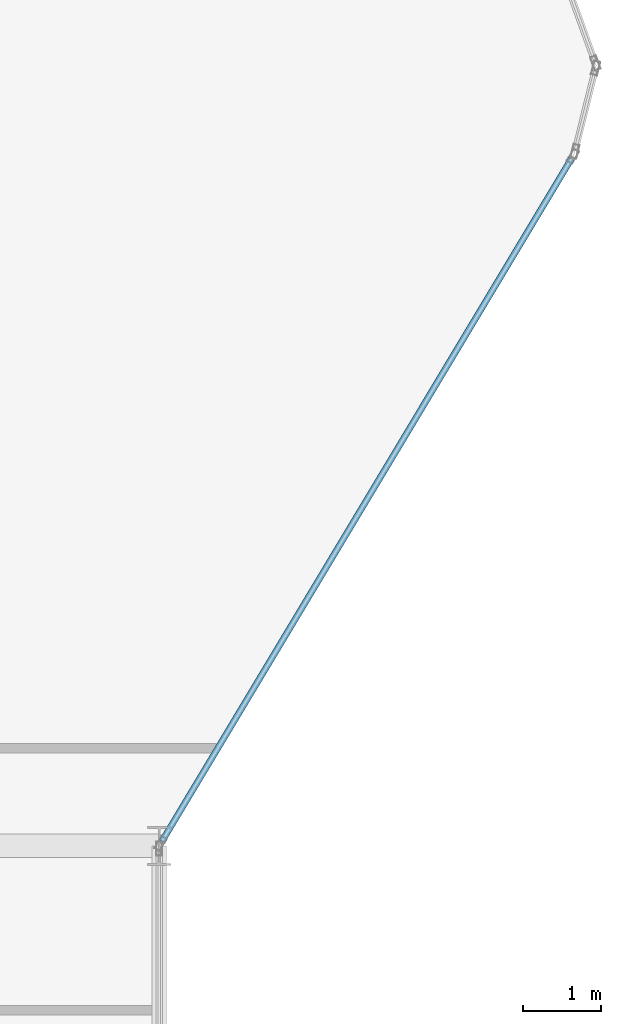
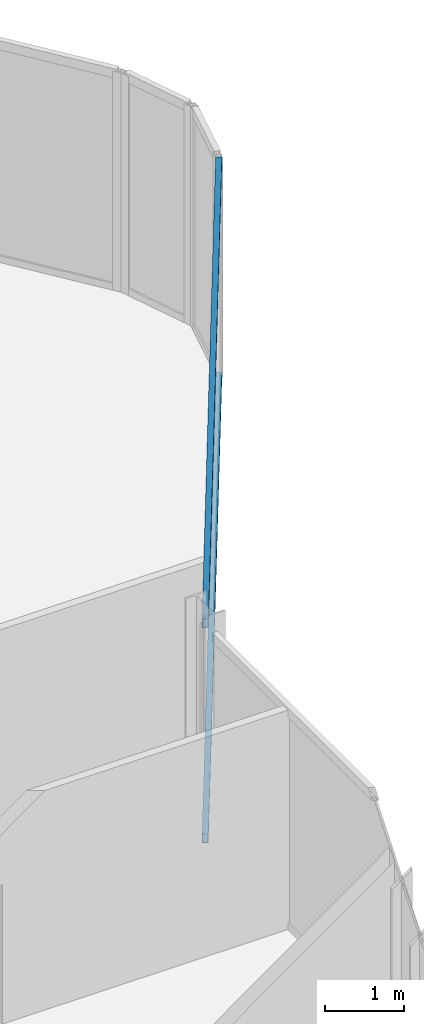
# One storey, part 14 of 32: 2 members, 1 element without a shape of its own.
"""IFC4 building model written with IfcOpenShell, lengths in metres."""

from ifc_helpers import new_model, si_unit, direction, frame, origin, origin_2d, place, context, subcontext, project, spatial, hollow_rectangle, extrude, material, layer, layer_set, material_profile, profile_set, type_object, element, aggregate, save


model = new_model("IFC4")

# Units and contexts
model_context = context("Model", 3, precision=1e-05, world=origin(), true_north=direction((0.0, 1.0)))
body_context = subcontext(model_context, "Body", "Model", "MODEL_VIEW")
ifc_project = project(units=[si_unit("LENGTHUNIT", "METRE"), si_unit("AREAUNIT", "SQUARE_METRE"), si_unit("VOLUMEUNIT", "CUBIC_METRE"), si_unit("PLANEANGLEUNIT", "RADIAN"), si_unit("MASSUNIT", "GRAM", prefix="KILO")], contexts=[model_context])

# Site, building, storey
site_placement = place(None, origin())
site = spatial("IfcSite", under=ifc_project, at=site_placement, CompositionType="ELEMENT")
building_placement = place(site_placement, origin())
building = spatial("IfcBuilding", under=site, at=building_placement, Name="Keshet Zoharim Tower", CompositionType="ELEMENT")
storey_placement = place(building_placement, frame((0.0, 0.0, 137.199951171875)))
storey = spatial("IfcBuildingStorey", under=building, at=storey_placement, Name="L33", CompositionType="ELEMENT", Elevation=137.199951171875)

# Curtain wall, members
ifc_material = material(Name="Aluminium 6063-T6", Category="aluminium")
ifc_layer = layer(ifc_material, 0.159912109375)
ifc_layer_set = layer_set([ifc_layer], Name="Aluminium 6063-T6")
curtain_wall_type = type_object("IfcCurtainWallType", Name="CW-SYS-03", PredefinedType="NOTDEFINED", material=ifc_layer_set)
curtain_wall_placement = place(storey_placement, origin())
curtain_wall = element("IfcCurtainWall", 1, at=curtain_wall_placement, inside=storey, type_object=curtain_wall_type, Name="L33 Unitised Curtain Wall 18", PredefinedType="NOTDEFINED")
ifc_material_profile = material_profile(ifc_material, hollow_rectangle(XDim=0.080078125, YDim=0.139892578125, WallThickness=0.00390625, at=origin_2d()), Name="TRN-80x140")
ifc_profile_set = profile_set([ifc_material_profile], Name="Aluminium 6063-T6")
member_type = type_object("IfcMemberType", Name="CWT-T14", PredefinedType="USERDEFINED", material=ifc_profile_set)
member_1_placement = place(storey_placement, frame((62.27197265625, 36.68701171875, 0.03515625), z_axis=(-0.514467532827, -0.857509858641, 0.0), x_axis=(0.857509858641, -0.514467532827, 0.0)))
member_1 = element("IfcMember", 2, at=member_1_placement, type_object=member_type, Name="CW-03 transom 1.1", ObjectType="TRANSOM", PredefinedType="USERDEFINED", context=body_context, shape_type="SweptSolid", body=[
    extrude(hollow_rectangle(XDim=0.080078125, YDim=0.139892578125, WallThickness=0.00390625, at=origin_2d()), origin(), (0.0, 0.0, 1.0), 10.17724609375),
])
member_2_placement = place(storey_placement, frame((62.27197265625, 36.68701171875, 3.35009765625), z_axis=(-0.514467532827, -0.857509858641, 0.0), x_axis=(0.857509858641, -0.514467532827, 0.0)))
member_2 = element("IfcMember", 3, at=member_2_placement, type_object=member_type, Name="CW-03 transom 1.2", ObjectType="TRANSOM", PredefinedType="USERDEFINED", context=body_context, shape_type="SweptSolid", body=[
    extrude(hollow_rectangle(XDim=0.080078125, YDim=0.139892578125, WallThickness=0.00390625, at=origin_2d()), origin(), (0.0, 0.0, 1.0), 10.17724609375),
])
aggregate(curtain_wall, [member_1, member_2])

save(model, "model.ifc")
